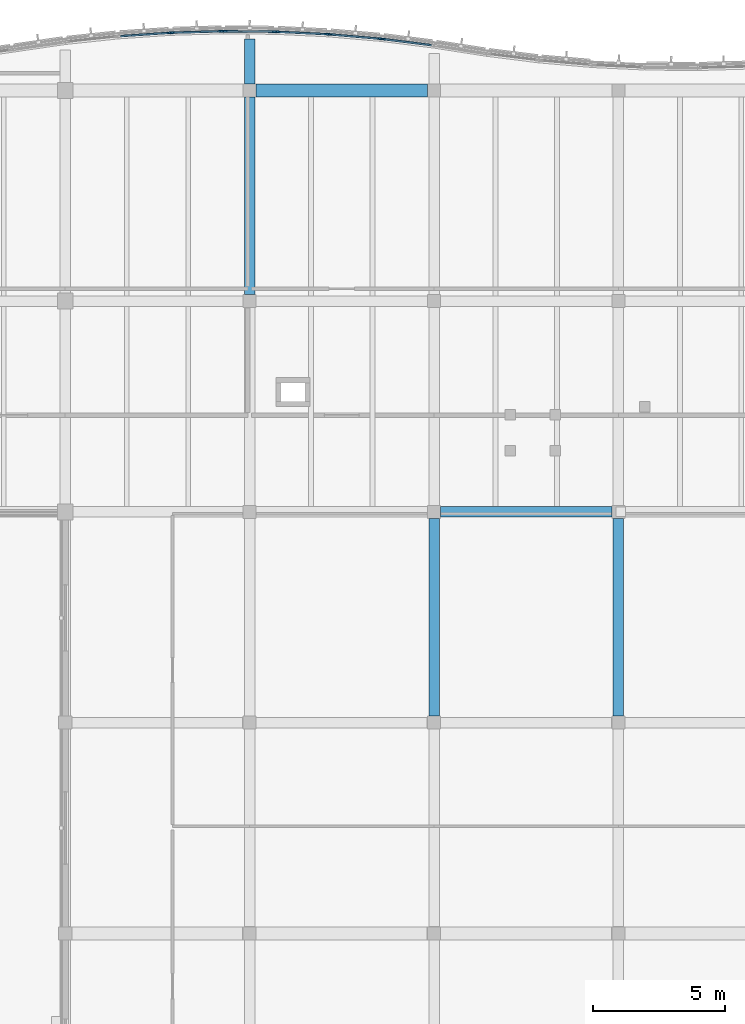
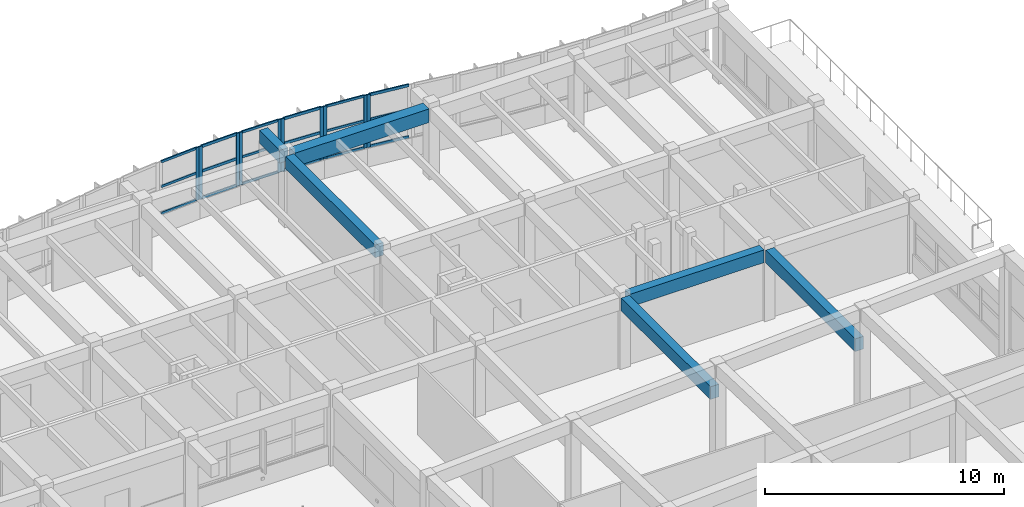
# One storey, part 40 of 89: 28 members, 6 beams, 6 elements without a shape of their own.
"""IFC4 building model written with IfcOpenShell, lengths in metres."""

from ifc_helpers import new_model, si_unit, direction, frame, origin, origin_2d, place, context, subcontext, project, spatial, rectangle, extrude, material, layer, layer_set, material_profile, profile_set, type_object, element, aggregate, save


model = new_model("IFC4")

# Units and contexts
model_context = context("Model", 3, precision=1e-05, world=origin(), true_north=direction((0.0, 1.0)))
body_context = subcontext(model_context, "Body", "Model", "MODEL_VIEW")
ifc_project = project(units=[si_unit("LENGTHUNIT", "METRE"), si_unit("AREAUNIT", "SQUARE_METRE"), si_unit("VOLUMEUNIT", "CUBIC_METRE"), si_unit("PLANEANGLEUNIT", "RADIAN"), si_unit("MASSUNIT", "GRAM", prefix="KILO")], contexts=[model_context])

# Site, building, storey
site_placement = place(None, origin())
site = spatial("IfcSite", under=ifc_project, at=site_placement, CompositionType="ELEMENT")
building_placement = place(site_placement, origin())
building = spatial("IfcBuilding", under=site, at=building_placement, Name="Tonlespit Floodbar School", CompositionType="ELEMENT")
storey_placement = place(building_placement, frame((0.0, 0.0, 4.5)))
storey = spatial("IfcBuildingStorey", under=building, at=storey_placement, Name="L01", CompositionType="ELEMENT", Elevation=4.5)

# Beams
ifc_material_1 = material(Name="Concrete C40/50", Category="concrete")
ifc_material_profile_1 = material_profile(ifc_material_1, rectangle(XDim=0.39990234375, YDim=0.64990234375, at=origin_2d()), Name="RC 400x650")
ifc_profile_set_1 = profile_set([ifc_material_profile_1], Name="Concrete C40/50")
beam_type_1 = type_object("IfcBeamType", Name="Beam_RC_400x650", PredefinedType="BEAM", material=ifc_profile_set_1)
beam_1_placement = place(storey_placement, frame((162.25, 104.0, 3.320068359375), z_axis=(1.0, 0.0, 0.0), x_axis=(0.0, 1.0, 0.0)))
element("IfcBeam", 1, at=beam_1_placement, inside=storey, type_object=beam_type_1, Name="L01 girder 0643", PredefinedType="BEAM", context=body_context, shape_type="SweptSolid", body=[
    extrude(rectangle(XDim=0.39990234375, YDim=0.64990234375, at=origin_2d()), origin(), (0.0, 0.0, 1.0), 6.5),
])
for number, where, z_axis, x_axis, name in (
    (2, (155.0, 112.25, 3.320068359375), (0.0, 1.0, 0.0), (-1.0, 0.0, 0.0), "L01 girder 0767"),
    (3, (162.0, 96.25, 3.324951171875), (0.0, 1.0, 0.0), (-1.0, 0.0, 0.0), "L01 girder 0772"),
    (4, (169.0, 96.25, 3.324951171875), (0.0, 1.0, 0.0), (-1.0, 0.0, 0.0), "L01 girder 0779"),
):
    element("IfcBeam", number, at=place(storey_placement, frame(where, z_axis=z_axis, x_axis=x_axis)), inside=storey, type_object=beam_type_1, Name=name, PredefinedType="BEAM", context=body_context, shape_type="SweptSolid", body=[
        extrude(rectangle(XDim=0.39990234375, YDim=0.64990234375, at=origin_2d()), origin(), (0.0, 0.0, 1.0), 7.5),
    ])
beam_2_placement = place(storey_placement, frame((155.0, 120.25, 3.320068359375), z_axis=(0.0, 1.0, 0.0), x_axis=(-1.0, 0.0, 0.0)))
element("IfcBeam", 5, at=beam_2_placement, inside=storey, type_object=beam_type_1, Name="L01 north street wave cantilever bracket", PredefinedType="BEAM", context=body_context, shape_type="SweptSolid", body=[
    extrude(rectangle(XDim=0.39990234375, YDim=0.64990234375, at=origin_2d()), origin(), (0.0, 0.0, 1.0), 1.697021484375),
])

# Curtain wall, member
ifc_material_2 = material(Name="Anodised Aluminium", Category="aluminium")
ifc_layer_1 = layer(ifc_material_2, 0.159912109375)
ifc_layer_set_1 = layer_set([ifc_layer_1], Name="Anodised Aluminium")
curtain_wall_type_1 = type_object("IfcCurtainWallType", Name="CurtainWall_1900x2700", PredefinedType="NOTDEFINED", material=ifc_layer_set_1)
curtain_wall_1_placement = place(storey_placement, origin())
curtain_wall_1 = element("IfcCurtainWall", 6, at=curtain_wall_1_placement, inside=storey, type_object=curtain_wall_type_1, Name="L01 unitised curtain wall 0394", PredefinedType="NOTDEFINED")
ifc_material_profile_2 = material_profile(ifc_material_2, rectangle(XDim=0.06494140625, YDim=0.14990234375, at=origin_2d()), Name="ALU M65x150")
ifc_profile_set_2 = profile_set([ifc_material_profile_2], Name="Anodised Aluminium")
member_type_1 = type_object("IfcMemberType", Name="CW_Mullion_65x150", PredefinedType="MULLION", material=ifc_profile_set_2)
member_1_placement = place(storey_placement, frame((151.927734375, 122.184326171875, 0.949951171875), z_axis=(0.0, 0.0, 1.0), x_axis=(-0.067339767311, 0.99773010165, 0.0)))
member_1 = element("IfcMember", 7, at=member_1_placement, type_object=member_type_1, Name="CW-05 mullion 2", PredefinedType="MULLION", context=body_context, shape_type="SweptSolid", body=[
    extrude(rectangle(XDim=0.06494140625, YDim=0.14990234375, at=origin_2d()), origin(), (0.0, 0.0, 1.0), 2.699951171875),
])

# Curtain wall, members
curtain_wall_2_placement = place(storey_placement, origin())
curtain_wall_2 = element("IfcCurtainWall", 8, at=curtain_wall_2_placement, inside=storey, type_object=curtain_wall_type_1, Name="L01 unitised curtain wall 0396", PredefinedType="NOTDEFINED")
member_2_placement = place(storey_placement, frame((154.072509765625, 122.246337890625, 0.949951171875), z_axis=(0.0, 0.0, 1.0), x_axis=(0.009582893292, 0.999954083024, 0.0)))
member_2 = element("IfcMember", 9, at=member_2_placement, type_object=member_type_1, Name="CW-05 mullion 1", PredefinedType="MULLION", context=body_context, shape_type="SweptSolid", body=[
    extrude(rectangle(XDim=0.06494140625, YDim=0.14990234375, at=origin_2d()), origin(), (0.0, 0.0, 1.0), 2.699951171875),
])
member_3_placement = place(storey_placement, frame((155.927490234375, 122.228515625, 0.949951171875), z_axis=(0.0, 0.0, 1.0), x_axis=(0.009582893292, 0.999954083024, 0.0)))
member_3 = element("IfcMember", 10, at=member_3_placement, type_object=member_type_1, Name="CW-05 mullion 2", PredefinedType="MULLION", context=body_context, shape_type="SweptSolid", body=[
    extrude(rectangle(XDim=0.06494140625, YDim=0.14990234375, at=origin_2d()), origin(), (0.0, 0.0, 1.0), 2.699951171875),
])

ifc_layer_2 = layer(ifc_material_2, 0.159912109375)
ifc_layer_set_2 = layer_set([ifc_layer_2], Name="Anodised Aluminium")
curtain_wall_type_2 = type_object("IfcCurtainWallType", Name="CurtainWall_1950x2700", PredefinedType="NOTDEFINED", material=ifc_layer_set_2)
curtain_wall_3_placement = place(storey_placement, origin())
curtain_wall_3 = element("IfcCurtainWall", 11, at=curtain_wall_3_placement, inside=storey, type_object=curtain_wall_type_2, Name="L01 unitised curtain wall 0398", PredefinedType="NOTDEFINED")
member_4_placement = place(storey_placement, frame((158.072265625, 122.125244140625, 0.949951171875), z_axis=(0.0, 0.0, 1.0), x_axis=(0.086531117454, 0.996249148412, 0.0)))
member_4 = element("IfcMember", 12, at=member_4_placement, type_object=member_type_1, Name="CW-04 mullion 1", PredefinedType="MULLION", context=body_context, shape_type="SweptSolid", body=[
    extrude(rectangle(XDim=0.06494140625, YDim=0.14990234375, at=origin_2d()), origin(), (0.0, 0.0, 1.0), 2.699951171875),
])
member_5_placement = place(storey_placement, frame((159.927734375, 121.964111328125, 0.949951171875), z_axis=(0.0, 0.0, 1.0), x_axis=(0.086531117454, 0.996249148412, 0.0)))
member_5 = element("IfcMember", 13, at=member_5_placement, type_object=member_type_1, Name="CW-04 mullion 2", PredefinedType="MULLION", context=body_context, shape_type="SweptSolid", body=[
    extrude(rectangle(XDim=0.06494140625, YDim=0.14990234375, at=origin_2d()), origin(), (0.0, 0.0, 1.0), 2.699951171875),
])

curtain_wall_4_placement = place(storey_placement, origin())
curtain_wall_4 = element("IfcCurtainWall", 14, at=curtain_wall_4_placement, inside=storey, type_object=curtain_wall_type_1, Name="L01 unitised curtain wall 0395", PredefinedType="NOTDEFINED")
ifc_material_profile_3 = material_profile(ifc_material_2, rectangle(XDim=0.06494140625, YDim=0.179931640625, at=origin_2d()), Name="ALU M65x180")
ifc_profile_set_3 = profile_set([ifc_material_profile_3], Name="Anodised Aluminium")
member_type_2 = type_object("IfcMemberType", Name="CW_Mullion_65x180", PredefinedType="MULLION", material=ifc_profile_set_3)
member_6_placement = place(storey_placement, frame((152.072509765625, 122.19140625, 0.949951171875), z_axis=(0.0, 0.0, 1.0), x_axis=(-0.028790144226, 0.999585477883, 0.0)))
member_6 = element("IfcMember", 15, at=member_6_placement, type_object=member_type_2, Name="CW-05 mullion 1", PredefinedType="MULLION", context=body_context, shape_type="SweptSolid", body=[
    extrude(rectangle(XDim=0.06494140625, YDim=0.179931640625, at=origin_2d()), origin(), (0.0, 0.0, 1.0), 2.699951171875),
])
member_7_placement = place(storey_placement, frame((153.927490234375, 122.244873046875, 0.949951171875), z_axis=(0.0, 0.0, 1.0), x_axis=(-0.028790144226, 0.999585477883, 0.0)))
member_7 = element("IfcMember", 16, at=member_7_placement, type_object=member_type_2, Name="CW-05 mullion 2", PredefinedType="MULLION", context=body_context, shape_type="SweptSolid", body=[
    extrude(rectangle(XDim=0.06494140625, YDim=0.179931640625, at=origin_2d()), origin(), (0.0, 0.0, 1.0), 2.699951171875),
])

curtain_wall_5_placement = place(storey_placement, origin())
curtain_wall_5 = element("IfcCurtainWall", 17, at=curtain_wall_5_placement, inside=storey, type_object=curtain_wall_type_1, Name="L01 unitised curtain wall 0397", PredefinedType="NOTDEFINED")
member_8_placement = place(storey_placement, frame((156.072509765625, 122.224365234375, 0.949951171875), z_axis=(0.0, 0.0, 1.0), x_axis=(0.048121270216, 0.998841500616, 0.0)))
member_8 = element("IfcMember", 18, at=member_8_placement, type_object=member_type_2, Name="CW-05 mullion 1", PredefinedType="MULLION", context=body_context, shape_type="SweptSolid", body=[
    extrude(rectangle(XDim=0.06494140625, YDim=0.179931640625, at=origin_2d()), origin(), (0.0, 0.0, 1.0), 2.699951171875),
])
member_9_placement = place(storey_placement, frame((157.927490234375, 122.135009765625, 0.949951171875), z_axis=(0.0, 0.0, 1.0), x_axis=(0.048121270216, 0.998841500616, 0.0)))
member_9 = element("IfcMember", 19, at=member_9_placement, type_object=member_type_2, Name="CW-05 mullion 2", PredefinedType="MULLION", context=body_context, shape_type="SweptSolid", body=[
    extrude(rectangle(XDim=0.06494140625, YDim=0.179931640625, at=origin_2d()), origin(), (0.0, 0.0, 1.0), 2.699951171875),
])

# Curtain wall, member
curtain_wall_6_placement = place(storey_placement, origin())
curtain_wall_6 = element("IfcCurtainWall", 20, at=curtain_wall_6_placement, inside=storey, type_object=curtain_wall_type_2, Name="L01 unitised curtain wall 0399", PredefinedType="NOTDEFINED")
member_10_placement = place(storey_placement, frame((160.072021484375, 121.94873046875, 0.949951171875), z_axis=(0.0, 0.0, 1.0), x_axis=(0.125013803299, 0.992155002499, 0.0)))
member_10 = element("IfcMember", 21, at=member_10_placement, type_object=member_type_2, Name="CW-04 mullion 1", PredefinedType="MULLION", context=body_context, shape_type="SweptSolid", body=[
    extrude(rectangle(XDim=0.06494140625, YDim=0.179931640625, at=origin_2d()), origin(), (0.0, 0.0, 1.0), 2.699951171875),
])

# Member
ifc_material_profile_4 = material_profile(ifc_material_2, rectangle(XDim=0.06494140625, YDim=0.1201171875, at=origin_2d()), Name="ALU T65x120")
ifc_profile_set_4 = profile_set([ifc_material_profile_4], Name="Anodised Aluminium")
member_type_3 = type_object("IfcMemberType", Name="CW_Transom_65x120", PredefinedType="USERDEFINED", material=ifc_profile_set_4)
member_11_placement = place(storey_placement, frame((150.104736328125, 122.061279296875, 0.982421875), z_axis=(0.997730041674, 0.067340655935, 0.0), x_axis=(-0.067340655935, 0.997730041674, 0.0)))
member_11 = element("IfcMember", 22, at=member_11_placement, type_object=member_type_3, Name="CW-05 transom 1.1", ObjectType="TRANSOM", PredefinedType="USERDEFINED", context=body_context, shape_type="SweptSolid", body=[
    extrude(rectangle(XDim=0.06494140625, YDim=0.1201171875, at=origin_2d()), origin(), (0.0, 0.0, 1.0), 1.794677734375),
])

member_12_placement = place(storey_placement, frame((150.104736328125, 122.061279296875, 2.35400390625), z_axis=(0.997730041674, 0.067340655935, 0.0), x_axis=(-0.067340655935, 0.997730041674, 0.0)))
member_12 = element("IfcMember", 23, at=member_12_placement, type_object=member_type_3, Name="CW-05 transom 1.2", ObjectType="TRANSOM", PredefinedType="USERDEFINED", context=body_context, shape_type="SweptSolid", body=[
    extrude(rectangle(XDim=0.06494140625, YDim=0.1201171875, at=origin_2d()), origin(), (0.0, 0.0, 1.0), 1.794677734375),
])

member_13_placement = place(storey_placement, frame((150.104736328125, 122.061279296875, 3.617431640625), z_axis=(0.997730041674, 0.067340655935, 0.0), x_axis=(-0.067340655935, 0.997730041674, 0.0)))
member_13 = element("IfcMember", 24, at=member_13_placement, type_object=member_type_3, Name="CW-05 transom 1.3", ObjectType="TRANSOM", PredefinedType="USERDEFINED", context=body_context, shape_type="SweptSolid", body=[
    extrude(rectangle(XDim=0.06494140625, YDim=0.1201171875, at=origin_2d()), origin(), (0.0, 0.0, 1.0), 1.794677734375),
])

aggregate(curtain_wall_1, [member_1, member_11, member_12, member_13])

member_14_placement = place(storey_placement, frame((154.10498046875, 122.24609375, 0.982421875), z_axis=(0.999953117448, -0.009683124842, 0.0), x_axis=(0.009683124842, 0.999953117448, 0.0)))
member_14 = element("IfcMember", 25, at=member_14_placement, type_object=member_type_3, Name="CW-05 transom 1.1", ObjectType="TRANSOM", PredefinedType="USERDEFINED", context=body_context, shape_type="SweptSolid", body=[
    extrude(rectangle(XDim=0.06494140625, YDim=0.1201171875, at=origin_2d()), origin(), (0.0, 0.0, 1.0), 1.7900390625),
])

member_15_placement = place(storey_placement, frame((154.10498046875, 122.24609375, 2.35400390625), z_axis=(0.999953117448, -0.009683124842, 0.0), x_axis=(0.009683124842, 0.999953117448, 0.0)))
member_15 = element("IfcMember", 26, at=member_15_placement, type_object=member_type_3, Name="CW-05 transom 1.2", ObjectType="TRANSOM", PredefinedType="USERDEFINED", context=body_context, shape_type="SweptSolid", body=[
    extrude(rectangle(XDim=0.06494140625, YDim=0.1201171875, at=origin_2d()), origin(), (0.0, 0.0, 1.0), 1.7900390625),
])

member_16_placement = place(storey_placement, frame((154.10498046875, 122.24609375, 3.617431640625), z_axis=(0.999953117448, -0.009683124842, 0.0), x_axis=(0.009683124842, 0.999953117448, 0.0)))
member_16 = element("IfcMember", 27, at=member_16_placement, type_object=member_type_3, Name="CW-05 transom 1.3", ObjectType="TRANSOM", PredefinedType="USERDEFINED", context=body_context, shape_type="SweptSolid", body=[
    extrude(rectangle(XDim=0.06494140625, YDim=0.1201171875, at=origin_2d()), origin(), (0.0, 0.0, 1.0), 1.7900390625),
])

aggregate(curtain_wall_2, [member_2, member_3, member_14, member_15, member_16])

member_17_placement = place(storey_placement, frame((158.1044921875, 122.122314453125, 0.982421875), z_axis=(0.996251281774, -0.086506552139, 0.0), x_axis=(0.086506552139, 0.996251281774, 0.0)))
member_17 = element("IfcMember", 28, at=member_17_placement, type_object=member_type_3, Name="CW-04 transom 1.1", ObjectType="TRANSOM", PredefinedType="USERDEFINED", context=body_context, shape_type="SweptSolid", body=[
    extrude(rectangle(XDim=0.06494140625, YDim=0.1201171875, at=origin_2d()), origin(), (0.0, 0.0, 1.0), 1.7978515625),
])

member_18_placement = place(storey_placement, frame((158.1044921875, 122.122314453125, 2.35400390625), z_axis=(0.996251281774, -0.086506552139, 0.0), x_axis=(0.086506552139, 0.996251281774, 0.0)))
member_18 = element("IfcMember", 29, at=member_18_placement, type_object=member_type_3, Name="CW-04 transom 1.2", ObjectType="TRANSOM", PredefinedType="USERDEFINED", context=body_context, shape_type="SweptSolid", body=[
    extrude(rectangle(XDim=0.06494140625, YDim=0.1201171875, at=origin_2d()), origin(), (0.0, 0.0, 1.0), 1.7978515625),
])

member_19_placement = place(storey_placement, frame((158.1044921875, 122.122314453125, 3.617431640625), z_axis=(0.996251281774, -0.086506552139, 0.0), x_axis=(0.086506552139, 0.996251281774, 0.0)))
member_19 = element("IfcMember", 30, at=member_19_placement, type_object=member_type_3, Name="CW-04 transom 1.3", ObjectType="TRANSOM", PredefinedType="USERDEFINED", context=body_context, shape_type="SweptSolid", body=[
    extrude(rectangle(XDim=0.06494140625, YDim=0.1201171875, at=origin_2d()), origin(), (0.0, 0.0, 1.0), 1.7978515625),
])

aggregate(curtain_wall_3, [member_4, member_5, member_17, member_18, member_19])

ifc_material_profile_5 = material_profile(ifc_material_2, rectangle(XDim=0.06494140625, YDim=0.139892578125, at=origin_2d()), Name="ALU T65x140")
ifc_profile_set_5 = profile_set([ifc_material_profile_5], Name="Anodised Aluminium")
member_type_4 = type_object("IfcMemberType", Name="CW_Transom_65x140", PredefinedType="USERDEFINED", material=ifc_profile_set_5)
member_20_placement = place(storey_placement, frame((152.10498046875, 122.1923828125, 0.982421875), z_axis=(0.999586171543, 0.02876605049, 0.0), x_axis=(-0.02876605049, 0.999586171543, 0.0)))
member_20 = element("IfcMember", 31, at=member_20_placement, type_object=member_type_4, Name="CW-05 transom 1.1", ObjectType="TRANSOM", PredefinedType="USERDEFINED", context=body_context, shape_type="SweptSolid", body=[
    extrude(rectangle(XDim=0.06494140625, YDim=0.139892578125, at=origin_2d()), origin(), (0.0, 0.0, 1.0), 1.790771484375),
])

member_21_placement = place(storey_placement, frame((152.10498046875, 122.1923828125, 2.35400390625), z_axis=(0.999586171543, 0.02876605049, 0.0), x_axis=(-0.02876605049, 0.999586171543, 0.0)))
member_21 = element("IfcMember", 32, at=member_21_placement, type_object=member_type_4, Name="CW-05 transom 1.2", ObjectType="TRANSOM", PredefinedType="USERDEFINED", context=body_context, shape_type="SweptSolid", body=[
    extrude(rectangle(XDim=0.06494140625, YDim=0.139892578125, at=origin_2d()), origin(), (0.0, 0.0, 1.0), 1.790771484375),
])

member_22_placement = place(storey_placement, frame((152.10498046875, 122.1923828125, 3.617431640625), z_axis=(0.999586171543, 0.02876605049, 0.0), x_axis=(-0.02876605049, 0.999586171543, 0.0)))
member_22 = element("IfcMember", 33, at=member_22_placement, type_object=member_type_4, Name="CW-05 transom 1.3", ObjectType="TRANSOM", PredefinedType="USERDEFINED", context=body_context, shape_type="SweptSolid", body=[
    extrude(rectangle(XDim=0.06494140625, YDim=0.139892578125, at=origin_2d()), origin(), (0.0, 0.0, 1.0), 1.790771484375),
])

aggregate(curtain_wall_4, [member_6, member_7, member_20, member_21, member_22])

member_23_placement = place(storey_placement, frame((156.10498046875, 122.22265625, 0.982421875), z_axis=(0.998843034795, -0.048089415069, 0.0), x_axis=(0.048089415069, 0.998843034795, 0.0)))
member_23 = element("IfcMember", 34, at=member_23_placement, type_object=member_type_4, Name="CW-05 transom 1.1", ObjectType="TRANSOM", PredefinedType="USERDEFINED", context=body_context, shape_type="SweptSolid", body=[
    extrude(rectangle(XDim=0.06494140625, YDim=0.139892578125, at=origin_2d()), origin(), (0.0, 0.0, 1.0), 1.7919921875),
])

member_24_placement = place(storey_placement, frame((156.10498046875, 122.22265625, 2.35400390625), z_axis=(0.998843034795, -0.048089415069, 0.0), x_axis=(0.048089415069, 0.998843034795, 0.0)))
member_24 = element("IfcMember", 35, at=member_24_placement, type_object=member_type_4, Name="CW-05 transom 1.2", ObjectType="TRANSOM", PredefinedType="USERDEFINED", context=body_context, shape_type="SweptSolid", body=[
    extrude(rectangle(XDim=0.06494140625, YDim=0.139892578125, at=origin_2d()), origin(), (0.0, 0.0, 1.0), 1.7919921875),
])

member_25_placement = place(storey_placement, frame((156.10498046875, 122.22265625, 3.617431640625), z_axis=(0.998843034795, -0.048089415069, 0.0), x_axis=(0.048089415069, 0.998843034795, 0.0)))
member_25 = element("IfcMember", 36, at=member_25_placement, type_object=member_type_4, Name="CW-05 transom 1.3", ObjectType="TRANSOM", PredefinedType="USERDEFINED", context=body_context, shape_type="SweptSolid", body=[
    extrude(rectangle(XDim=0.06494140625, YDim=0.139892578125, at=origin_2d()), origin(), (0.0, 0.0, 1.0), 1.7919921875),
])

aggregate(curtain_wall_5, [member_8, member_9, member_23, member_24, member_25])

member_26_placement = place(storey_placement, frame((160.104248046875, 121.944580078125, 0.982421875), z_axis=(0.992148373735, -0.125066400341, 0.0), x_axis=(0.125066400341, 0.992148373735, 0.0)))
member_26 = element("IfcMember", 37, at=member_26_placement, type_object=member_type_4, Name="CW-04 transom 1.1", ObjectType="TRANSOM", PredefinedType="USERDEFINED", context=body_context, shape_type="SweptSolid", body=[
    extrude(rectangle(XDim=0.06494140625, YDim=0.139892578125, at=origin_2d()), origin(), (0.0, 0.0, 1.0), 1.8056640625),
])

member_27_placement = place(storey_placement, frame((160.104248046875, 121.944580078125, 2.35400390625), z_axis=(0.992148373735, -0.125066400341, 0.0), x_axis=(0.125066400341, 0.992148373735, 0.0)))
member_27 = element("IfcMember", 38, at=member_27_placement, type_object=member_type_4, Name="CW-04 transom 1.2", ObjectType="TRANSOM", PredefinedType="USERDEFINED", context=body_context, shape_type="SweptSolid", body=[
    extrude(rectangle(XDim=0.06494140625, YDim=0.139892578125, at=origin_2d()), origin(), (0.0, 0.0, 1.0), 1.8056640625),
])

member_28_placement = place(storey_placement, frame((160.104248046875, 121.944580078125, 3.617431640625), z_axis=(0.992148373735, -0.125066400341, 0.0), x_axis=(0.125066400341, 0.992148373735, 0.0)))
member_28 = element("IfcMember", 39, at=member_28_placement, type_object=member_type_4, Name="CW-04 transom 1.3", ObjectType="TRANSOM", PredefinedType="USERDEFINED", context=body_context, shape_type="SweptSolid", body=[
    extrude(rectangle(XDim=0.06494140625, YDim=0.139892578125, at=origin_2d()), origin(), (0.0, 0.0, 1.0), 1.8056640625),
])

aggregate(curtain_wall_6, [member_10, member_26, member_27, member_28])

# Beam
ifc_material_profile_6 = material_profile(ifc_material_1, rectangle(XDim=0.5, YDim=0.699951171875, at=origin_2d()), Name="RC 500x700")
ifc_profile_set_6 = profile_set([ifc_material_profile_6], Name="Concrete C40/50")
beam_type_2 = type_object("IfcBeamType", Name="Spandrel_RC_500x700", PredefinedType="SPANDREL", material=ifc_profile_set_6)
beam_3_placement = place(storey_placement, frame((155.25, 120.0, 3.294921875), z_axis=(1.0, 0.0, 0.0), x_axis=(0.0, 1.0, 0.0)))
element("IfcBeam", 40, at=beam_3_placement, inside=storey, type_object=beam_type_2, Name="L01 girder 0668", PredefinedType="SPANDREL", context=body_context, shape_type="SweptSolid", body=[
    extrude(rectangle(XDim=0.5, YDim=0.699951171875, at=origin_2d()), origin(), (0.0, 0.0, 1.0), 6.5),
])

save(model, "model.ifc")
